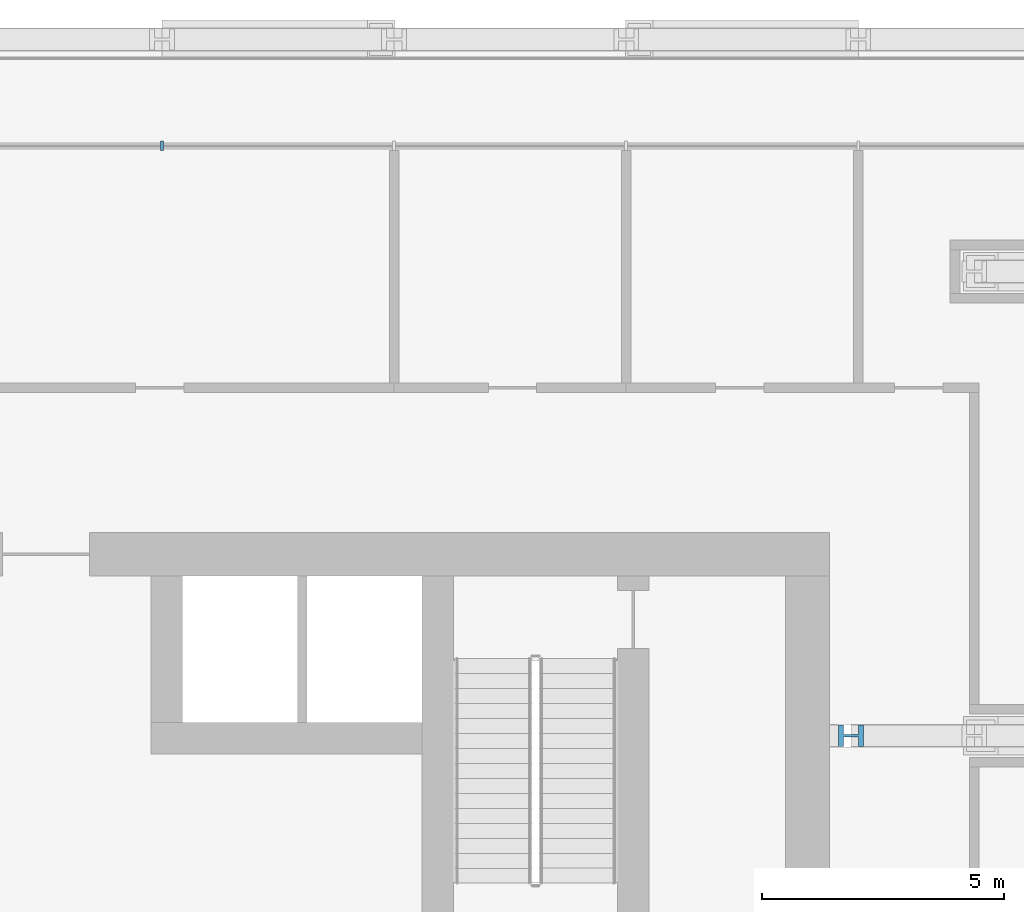
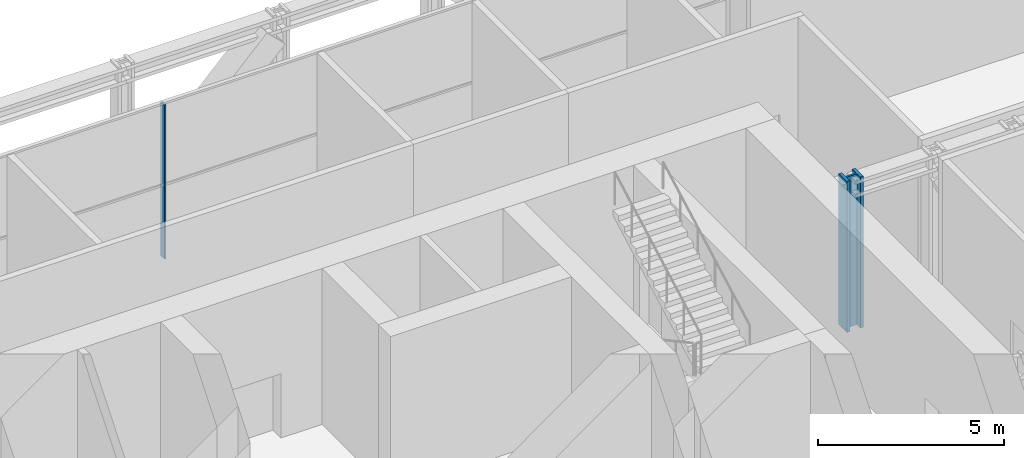
# One storey, part 14 of 30: 2 members, 1 element without a shape of its own.
"""IFC4 building model written with IfcOpenShell, lengths in metres."""

from ifc_helpers import new_model, si_unit, direction, frame, origin, origin_2d, place, context, subcontext, project, spatial, rectangle, i_section, extrude, material, layer, layer_set, material_profile, profile_set, type_object, element, aggregate, save


model = new_model("IFC4")

# Units and contexts
model_context = context("Model", 3, precision=1e-05, world=origin(), true_north=direction((0.0, 1.0)))
body_context = subcontext(model_context, "Body", "Model", "MODEL_VIEW")
ifc_project = project(units=[si_unit("LENGTHUNIT", "METRE"), si_unit("AREAUNIT", "SQUARE_METRE"), si_unit("VOLUMEUNIT", "CUBIC_METRE"), si_unit("PLANEANGLEUNIT", "RADIAN"), si_unit("MASSUNIT", "GRAM", prefix="KILO")], contexts=[model_context])

# Site, building, storey
site_placement = place(None, origin())
site = spatial("IfcSite", under=ifc_project, at=site_placement, CompositionType="ELEMENT")
building_placement = place(site_placement, origin())
building = spatial("IfcBuilding", under=site, at=building_placement, Name="Madar Terraces", CompositionType="ELEMENT")
storey_placement = place(building_placement, frame((0.0, 0.0, 53.89990234375)))
storey = spatial("IfcBuildingStorey", under=building, at=storey_placement, Name="L13", CompositionType="ELEMENT", Elevation=53.89990234375)

# Curtain wall, member
ifc_material_1 = material(Name="Glass, ceramic frit dark grey, with black aluminium frame", Category="aluminium")
ifc_layer = layer(ifc_material_1, 0.199951171875)
ifc_layer_set = layer_set([ifc_layer], Name="Facade curtain wall, tall glazing")
curtain_wall_type = type_object("IfcCurtainWallType", Name="Facade curtain wall, tall glazing", PredefinedType="NOTDEFINED", material=ifc_layer_set)
curtain_wall_placement = place(storey_placement, origin())
curtain_wall = element("IfcCurtainWall", 1, at=curtain_wall_placement, inside=storey, type_object=curtain_wall_type, Name="Outer skin curtain wall north bay 1", PredefinedType="NOTDEFINED")
ifc_material_2 = material(Name="Aluminium, black anodised", Category="aluminium")
ifc_material_profile_1 = material_profile(ifc_material_2, rectangle(XDim=0.199951171875, YDim=0.06005859375, at=origin_2d()), Name="Facade mullion 60x200")
ifc_profile_set_1 = profile_set([ifc_material_profile_1], Name="Aluminium, black anodised")
member_type_1 = type_object("IfcMemberType", Name="Facade mullion 60x200", PredefinedType="MULLION", material=ifc_profile_set_1)
member_1_placement = place(storey_placement, frame((33.60009765625, 45.800048828125, 0.0), z_axis=(0.0, 0.0, 1.0), x_axis=(0.0, -1.0, 0.0)))
member_1 = element("IfcMember", 2, at=member_1_placement, type_object=member_type_1, Name="Mullion 5", PredefinedType="MULLION", context=body_context, shape_type="SweptSolid", body=[
    extrude(rectangle(XDim=0.199951171875, YDim=0.06005859375, at=origin_2d()), origin(), (0.0, 0.0, 1.0), 5.0400390625),
])
aggregate(curtain_wall, [member_1])

# Member
ifc_material_3 = material(Name="Steel ASTM A913 Grade 65", Category="steel")
ifc_material_profile_2 = material_profile(ifc_material_3, i_section(OverallWidth=0.436767578125, OverallDepth=0.51318359375, WebThickness=0.060546875, FlangeThickness=0.096923828125, at=origin_2d()), Name="W14x550")
ifc_profile_set_2 = profile_set([ifc_material_profile_2], Name="Steel ASTM A913 Grade 65")
member_type_2 = type_object("IfcMemberType", Name="TV2 W14x550", PredefinedType="POST", material=ifc_profile_set_2)
member_2_placement = place(storey_placement, frame((47.85009765625, 33.60009765625, 0.1591796875), z_axis=(0.0, 0.0, 1.0), x_axis=(0.0, 1.0, 0.0)))
element("IfcMember", 3, at=member_2_placement, inside=storey, type_object=member_type_2, Name="Exoskeleton truss cross E33.6 post TV2", PredefinedType="POST", context=body_context, shape_type="SweptSolid", body=[
    extrude(i_section(OverallWidth=0.436767578125, OverallDepth=0.51318359375, WebThickness=0.060546875, FlangeThickness=0.096923828125, at=origin_2d()), origin(), (0.0, 0.0, 1.0), 4.94091796875),
])

save(model, "model.ifc")
